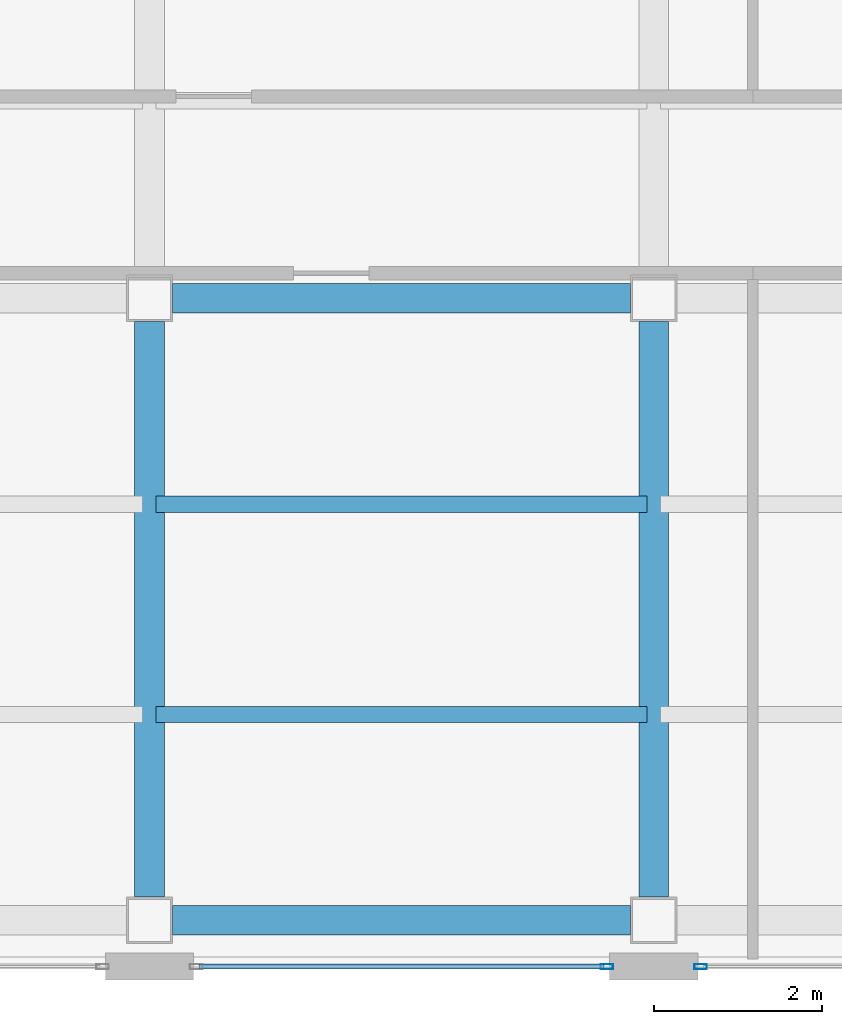
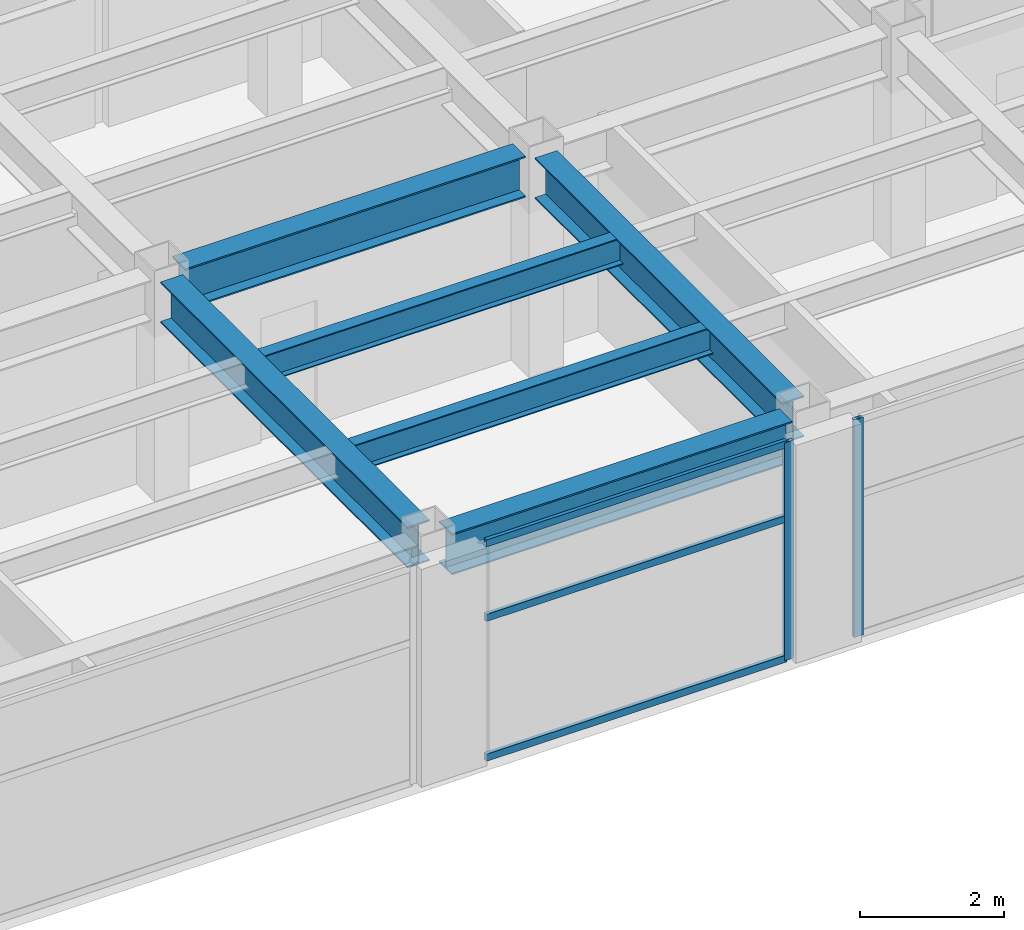
# One storey, part 5 of 17: 6 beams, 5 members, 2 elements without a shape of their own.
"""IFC4 building model written with IfcOpenShell, lengths in metres."""

import ifcopenshell
import ifcopenshell.guid

model = None  # the IFC model being written
_history = None  # IfcOwnerHistory: only IFC2X3 demands one
_inside = {}  # id of a spatial element -> (the spatial element, [elements in it])
_under = {}  # id of a project, library or spatial element -> (it, [spatial elements below it])
_declared = {}  # id of a project -> (the project, [libraries it declares])
_typed = {}  # id of a type object -> (the type object, [elements of that type])
_made_of = {}  # id of a material, layer set ... -> (it, [elements and type objects made of it])


def new_model(schema):
    """Start an empty IFC model of exactly this schema.

    Asked for "IFC4X3", IfcOpenShell would pick the latest addendum, in which some entities
    have other attributes; the version numbers below select the first issue.
    IFC2X3 requires an IfcOwnerHistory on every rooted entity: one is made here for all.
    """
    global model, _history
    if schema == "IFC4X3":
        model = ifcopenshell.file(schema_version=(4, 3, 0, 0))
    else:
        model = ifcopenshell.file(schema=schema)
    _inside.clear()
    _under.clear()
    _declared.clear()
    _typed.clear()
    _made_of.clear()
    _history = None
    if model.schema == "IFC2X3":
        org = make("IfcOrganization", Name="unknown")
        user = make(
            "IfcPersonAndOrganization",
            ThePerson=make("IfcPerson", FamilyName="unknown"),
            TheOrganization=org,
        )
        app = make(
            "IfcApplication",
            ApplicationDeveloper=org,
            Version="unknown",
            ApplicationFullName="unknown",
            ApplicationIdentifier="unknown",
        )
        _history = make(
            "IfcOwnerHistory",
            OwningUser=user,
            OwningApplication=app,
            ChangeAction="ADDED",
            CreationDate=0,
        )
    return model


def make(cls, **values):
    """One entity of the class cls with the attributes given. An attribute that is None is left unset."""
    return model.create_entity(
        cls, **{name: value for name, value in values.items() if value is not None}
    )


def rooted(cls, **values):
    """An entity with a GlobalId (a new one), such as an element, a storey or a relation."""
    return make(cls, GlobalId=ifcopenshell.guid.new(), OwnerHistory=_history, **values)


def si_unit(unit_type, name, prefix=None):
    """IfcSIUnit, for example si_unit("LENGTHUNIT", "METRE", prefix="MILLI")."""
    return make("IfcSIUnit", UnitType=unit_type, Prefix=prefix, Name=name)


def assignment(units):
    """IfcUnitAssignment: the units of a project."""
    return None if units is None else make("IfcUnitAssignment", Units=units)


def point(xyz):
    """IfcCartesianPoint."""
    return None if xyz is None else make("IfcCartesianPoint", Coordinates=xyz)


def direction(xyz):
    """IfcDirection."""
    return None if xyz is None else make("IfcDirection", DirectionRatios=xyz)


def frame(location, z_axis=None, x_axis=None):
    """IfcAxis2Placement3D, a coordinate frame: its origin and axes. An axis left out is left unset."""
    return make(
        "IfcAxis2Placement3D",
        Location=point(location),
        Axis=direction(z_axis),
        RefDirection=direction(x_axis),
    )


def frame_2d(location, x_axis=None):
    """IfcAxis2Placement2D, a coordinate frame in the plane: its origin and x axis."""
    return make(
        "IfcAxis2Placement2D", Location=point(location), RefDirection=direction(x_axis)
    )


def origin():
    """The frame at (0, 0, 0) with its axes left unset."""
    return frame((0.0, 0.0, 0.0))


def origin_2d():
    """The frame at (0, 0) in the plane with its x axis left unset."""
    return frame_2d((0.0, 0.0))


def place(relative_to, where):
    """IfcLocalPlacement: puts the frame where relative to a parent placement (None: the world)."""
    return make(
        "IfcLocalPlacement", PlacementRelTo=relative_to, RelativePlacement=where
    )


def context(
    kind, dimensions, precision=None, world=None, true_north=None, identifier=None
):
    """IfcGeometricRepresentationContext, for example the 3D "Model" context."""
    return make(
        "IfcGeometricRepresentationContext",
        ContextIdentifier=identifier,
        ContextType=kind,
        CoordinateSpaceDimension=dimensions,
        Precision=precision,
        WorldCoordinateSystem=world,
        TrueNorth=true_north,
    )


def subcontext(parent, identifier, kind, view, scale=None):
    """IfcGeometricRepresentationSubContext, for example "Body" below "Model"."""
    return make(
        "IfcGeometricRepresentationSubContext",
        ContextIdentifier=identifier,
        ContextType=kind,
        ParentContext=parent,
        TargetScale=scale,
        TargetView=view,
    )


def project(units=None, contexts=None):
    """IfcProject with its units and contexts."""
    return rooted(
        "IfcProject",
        Name="project",
        RepresentationContexts=contexts,
        UnitsInContext=assignment(units),
    )


def spatial(cls, under=None, at=None, **own):
    """A site, building, storey or space (cls), placed at a placement, below another one or the project."""
    s = rooted(cls, ObjectPlacement=at, **own)
    if under is not None:
        _under.setdefault(under.id(), (under, []))[1].append(s)
    return s


def profile(cls, at=None, kind="AREA", **sizes):
    """A parametric profile (cls). Its sizes go by their IFC names, for example OverallWidth=200.0."""
    return make(cls, ProfileType=kind, Position=at, **sizes)


def hollow_rectangle(**sizes):
    """IfcRectangleHollowProfileDef."""
    return profile("IfcRectangleHollowProfileDef", **sizes)


def i_section(**sizes):
    """IfcIShapeProfileDef."""
    return profile("IfcIShapeProfileDef", **sizes)


def extrude(swept, where, along, depth):
    """IfcExtrudedAreaSolid: the profile swept, set in the frame where, extruded along a direction by depth."""
    return make(
        "IfcExtrudedAreaSolid",
        SweptArea=swept,
        Position=where,
        ExtrudedDirection=direction(along),
        Depth=depth,
    )


def shape(context_of_items, identifier, shape_type, items):
    """IfcShapeRepresentation: the items that make up one representation, for example the "Body"."""
    return make(
        "IfcShapeRepresentation",
        ContextOfItems=context_of_items,
        RepresentationIdentifier=identifier,
        RepresentationType=shape_type,
        Items=items,
    )


def material(Name=None, Category=None):
    """IfcMaterial."""
    return make("IfcMaterial", Name=Name, Category=Category)


def layer(
    of_material, thickness, ventilated=None, Name=None, Category=None, Priority=None
):
    """IfcMaterialLayer: one layer of a wall or slab, of a material (None: an air gap)."""
    return make(
        "IfcMaterialLayer",
        Material=of_material,
        LayerThickness=thickness,
        IsVentilated=ventilated,
        Name=Name,
        Category=Category,
        Priority=Priority,
    )


def layer_set(layers, Name=None):
    """IfcMaterialLayerSet."""
    return make("IfcMaterialLayerSet", MaterialLayers=layers, LayerSetName=Name)


def material_profile(
    of_material, cross_section, Name=None, Category=None, Priority=None
):
    """IfcMaterialProfile: a cross section and its material."""
    return make(
        "IfcMaterialProfile",
        Name=Name,
        Material=of_material,
        Profile=cross_section,
        Priority=Priority,
        Category=Category,
    )


def profile_set(profiles, Name=None, composite=None):
    """IfcMaterialProfileSet."""
    return make(
        "IfcMaterialProfileSet",
        Name=Name,
        MaterialProfiles=profiles,
        CompositeProfile=composite,
    )


def made_of(thing, what):
    """Note that an element or type object is made of a material, layer set ...; save() writes the relation."""
    if what is not None:
        _made_of.setdefault(what.id(), (what, []))[1].append(thing)
    return thing


def type_object(cls, material=None, **own):
    """A type object (cls), such as IfcWallType, which elements share."""
    return made_of(rooted(cls, **own), material)


def element(
    cls,
    number,
    at=None,
    inside=None,
    cuts=None,
    type_object=None,
    material=None,
    context=None,
    identifier="Body",
    shape_type=None,
    held_by="IfcProductDefinitionShape",
    body=None,
    shapes=None,
    **own,
):
    """One element of the class cls, such as IfcWall. Its Tag is "e" and its number.

    at: its placement. inside: the storey or other place that contains it. cuts: it is an
    opening in that element (IfcRelVoidsElement). A single representation is given by context,
    identifier, shape_type and body (its items); several are given by shapes. held_by: the class
    of the entity that holds the representations. save() writes the other relations.
    """
    e = rooted(cls, Tag="e%d" % number, ObjectPlacement=at, **own)
    if body is not None:
        shapes = [shape(context, identifier, shape_type, body)]
    if shapes is not None:
        e.Representation = make(held_by, Representations=shapes)
    if inside is not None:
        _inside.setdefault(inside.id(), (inside, []))[1].append(e)
    if cuts is not None:
        rooted(
            "IfcRelVoidsElement", RelatingBuildingElement=cuts, RelatedOpeningElement=e
        )
    if type_object is not None:
        _typed.setdefault(type_object.id(), (type_object, []))[1].append(e)
    return made_of(e, material)


def aggregate(whole, parts):
    """IfcRelAggregates: a whole, such as a stair, and the parts it consists of."""
    return rooted("IfcRelAggregates", RelatingObject=whole, RelatedObjects=parts)


def save(model, path):
    """Write the relations noted so far, then the file.

    IfcRelAggregates (storeys below a building ...), IfcRelContainedInSpatialStructure (elements
    in a storey), IfcRelDefinesByType, IfcRelAssociatesMaterial and IfcRelDeclares: one each for
    every whole, place, type object, material and project.
    """
    for whole, parts in _under.values():
        aggregate(whole, parts)
    for where, things in _inside.values():
        rooted(
            "IfcRelContainedInSpatialStructure",
            RelatedElements=things,
            RelatingStructure=where,
        )
    for kind, things in _typed.values():
        rooted("IfcRelDefinesByType", RelatedObjects=things, RelatingType=kind)
    for what, things in _made_of.values():
        rooted("IfcRelAssociatesMaterial", RelatedObjects=things, RelatingMaterial=what)
    for by, libraries in _declared.values():
        rooted("IfcRelDeclares", RelatingContext=by, RelatedDefinitions=libraries)
    model.write(path)


model = new_model("IFC4")

# Units and contexts
model_context = context("Model", 3, precision=1e-05, world=origin(), true_north=direction((0.0, 1.0)))
body_context = subcontext(model_context, "Body", "Model", "MODEL_VIEW")
ifc_project = project(units=[si_unit("LENGTHUNIT", "METRE"), si_unit("AREAUNIT", "SQUARE_METRE"), si_unit("VOLUMEUNIT", "CUBIC_METRE"), si_unit("PLANEANGLEUNIT", "RADIAN"), si_unit("MASSUNIT", "GRAM", prefix="KILO")], contexts=[model_context])

# Site, building, storey
site_placement = place(None, origin())
site = spatial("IfcSite", under=ifc_project, at=site_placement, CompositionType="ELEMENT")
building_placement = place(site_placement, origin())
building = spatial("IfcBuilding", under=site, at=building_placement, Name="Mawjaban Terraces University", CompositionType="ELEMENT")
storey_placement = place(building_placement, frame((0.0, 0.0, 70.0)))
storey = spatial("IfcBuildingStorey", under=building, at=storey_placement, Name="L16", CompositionType="ELEMENT", Elevation=70.0)

# Beams
ifc_material_1 = material(Name="Steel ASTM A572 Grade 50", Category="steel")
ifc_material_profile_1 = material_profile(ifc_material_1, i_section(OverallWidth=0.35498046875, OverallDepth=0.695068359375, WebThickness=0.015380859375, FlangeThickness=0.02490234375, at=origin_2d()), Name="W690X217")
ifc_profile_set_1 = profile_set([ifc_material_profile_1], Name="Steel ASTM A572 Grade 50")
beam_type_1 = type_object("IfcBeamType", Name="Beam_B_W690X217", PredefinedType="BEAM", material=ifc_profile_set_1)
for number, where, z_axis, x_axis, name in (
    (1, (46.27490234375, 0.550048828125, 3.343017578125), (1.0, 0.0, 0.0), (0.0, 1.0, 0.0), "L16 Beam BM-L16-EW-02"),
    (2, (46.27490234375, 7.949951171875, 3.343017578125), (1.0, 0.0, 0.0), (0.0, 1.0, 0.0), "L16 Beam BM-L16-EW-07"),
):
    element("IfcBeam", number, at=place(storey_placement, frame(where, z_axis=z_axis, x_axis=x_axis)), inside=storey, type_object=beam_type_1, Name=name, PredefinedType="BEAM", context=body_context, shape_type="SweptSolid", body=[
        extrude(i_section(OverallWidth=0.35498046875, OverallDepth=0.695068359375, WebThickness=0.015380859375, FlangeThickness=0.02490234375, at=origin_2d()), origin(), (0.0, 0.0, 1.0), 5.4501953125),
    ])
for number, where, z_axis, x_axis, name in (
    (3, (46.0, 0.824951171875, 3.343017578125), (0.0, 1.0, 0.0), (-1.0, 0.0, 0.0), "L16 Beam BM-L16-NS-14"),
    (4, (52.0, 0.824951171875, 3.343017578125), (0.0, 1.0, 0.0), (-1.0, 0.0, 0.0), "L16 Beam BM-L16-NS-16"),
):
    element("IfcBeam", number, at=place(storey_placement, frame(where, z_axis=z_axis, x_axis=x_axis)), inside=storey, type_object=beam_type_1, Name=name, PredefinedType="BEAM", context=body_context, shape_type="SweptSolid", body=[
        extrude(i_section(OverallWidth=0.35498046875, OverallDepth=0.695068359375, WebThickness=0.015380859375, FlangeThickness=0.02490234375, at=origin_2d()), origin(), (0.0, 0.0, 1.0), 6.85009765625),
    ])
ifc_material_profile_2 = material_profile(ifc_material_1, i_section(OverallWidth=0.19189453125, OverallDepth=0.462890625, WebThickness=0.010498046875, FlangeThickness=0.017578125, at=origin_2d()), Name="W460X89")
ifc_profile_set_2 = profile_set([ifc_material_profile_2], Name="Steel ASTM A572 Grade 50")
beam_type_2 = type_object("IfcBeamType", Name="Beam_J_W460X89", PredefinedType="JOIST", material=ifc_profile_set_2)
for number, where, z_axis, x_axis, name in (
    (5, (46.080078125, 3.0, 3.458984375), (1.0, 0.0, 0.0), (0.0, 1.0, 0.0), "L16 Composite Joist JST-L16-02"),
    (6, (46.080078125, 5.5, 3.458984375), (1.0, 0.0, 0.0), (0.0, 1.0, 0.0), "L16 Composite Joist JST-L16-07"),
):
    element("IfcBeam", number, at=place(storey_placement, frame(where, z_axis=z_axis, x_axis=x_axis)), inside=storey, type_object=beam_type_2, Name=name, PredefinedType="JOIST", context=body_context, shape_type="SweptSolid", body=[
        extrude(i_section(OverallWidth=0.19189453125, OverallDepth=0.462890625, WebThickness=0.010498046875, FlangeThickness=0.017578125, at=origin_2d()), origin(), (0.0, 0.0, 1.0), 5.83984375),
    ])

# Curtain wall, member
ifc_material_2 = material(Name="Anodised aluminium 6063-T6 and solar-control low-E glass", Category="aluminium")
ifc_layer = layer(ifc_material_2, 0.1650390625)
ifc_layer_set = layer_set([ifc_layer], Name="Anodised aluminium 6063-T6 and solar-control low-E glass")
curtain_wall_type = type_object("IfcCurtainWallType", Name="CWSystem_04_EastWing", PredefinedType="NOTDEFINED", material=ifc_layer_set)
curtain_wall_1_placement = place(storey_placement, origin())
curtain_wall_1 = element("IfcCurtainWall", 7, at=curtain_wall_1_placement, inside=storey, type_object=curtain_wall_type, Name="L16 Curtain Wall CW-04 Run 1.3", PredefinedType="NOTDEFINED")
ifc_material_3 = material(Name="Anodised aluminium 6063-T6", Category="aluminium")
ifc_material_profile_3 = material_profile(ifc_material_3, hollow_rectangle(XDim=0.06005859375, YDim=0.14990234375, WallThickness=0.00390625, at=origin_2d()), Name="ALU150X60X4")
ifc_profile_set_3 = profile_set([ifc_material_profile_3], Name="Anodised aluminium 6063-T6")
member_type_1 = type_object("IfcMemberType", Name="Mullion_CW-04", PredefinedType="MULLION", material=ifc_profile_set_3)
member_1_placement = place(storey_placement, frame((51.4423828125, 0.0, 0.0), z_axis=(0.0, 0.0, 1.0), x_axis=(0.0, 1.0, 0.0)))
member_1 = element("IfcMember", 8, at=member_1_placement, type_object=member_type_1, Name="CW-04 mullion 2", PredefinedType="MULLION", context=body_context, shape_type="SweptSolid", body=[
    extrude(hollow_rectangle(XDim=0.06005859375, YDim=0.14990234375, WallThickness=0.00390625, at=origin_2d()), origin(), (0.0, 0.0, 1.0), 3.68994140625),
])

curtain_wall_2_placement = place(storey_placement, origin())
curtain_wall_2 = element("IfcCurtainWall", 9, at=curtain_wall_2_placement, inside=storey, type_object=curtain_wall_type, Name="L16 Curtain Wall CW-04 Run 1.4", PredefinedType="NOTDEFINED")
member_2_placement = place(storey_placement, frame((52.5576171875, 0.0, 0.0), z_axis=(0.0, 0.0, 1.0), x_axis=(0.0, 1.0, 0.0)))
member_2 = element("IfcMember", 10, at=member_2_placement, type_object=member_type_1, Name="CW-04 mullion 1", PredefinedType="MULLION", context=body_context, shape_type="SweptSolid", body=[
    extrude(hollow_rectangle(XDim=0.06005859375, YDim=0.14990234375, WallThickness=0.00390625, at=origin_2d()), origin(), (0.0, 0.0, 1.0), 3.68994140625),
])
aggregate(curtain_wall_2, [member_2])

# Member
ifc_material_profile_4 = material_profile(ifc_material_3, hollow_rectangle(XDim=0.06005859375, YDim=0.1201171875, WallThickness=0.00341796875, at=origin_2d()), Name="ALU120X60X3.5")
ifc_profile_set_4 = profile_set([ifc_material_profile_4], Name="Anodised aluminium 6063-T6")
member_type_2 = type_object("IfcMemberType", Name="Transom_CW-04", PredefinedType="NOTDEFINED", material=ifc_profile_set_4)
member_3_placement = place(storey_placement, frame((46.590087890625, 0.0, 0.030029296875), z_axis=(1.0, 0.0, 0.0), x_axis=(0.0, 1.0, 0.0)))
member_3 = element("IfcMember", 11, at=member_3_placement, type_object=member_type_2, Name="CW-04 transom 1.1", ObjectType="TRANSOM", PredefinedType="USERDEFINED", context=body_context, shape_type="SweptSolid", body=[
    extrude(hollow_rectangle(XDim=0.06005859375, YDim=0.1201171875, WallThickness=0.00341796875, at=origin_2d()), origin(), (0.0, 0.0, 1.0), 4.81982421875),
])

member_4_placement = place(storey_placement, frame((46.590087890625, 0.0, 2.39794921875), z_axis=(1.0, 0.0, 0.0), x_axis=(0.0, 1.0, 0.0)))
member_4 = element("IfcMember", 12, at=member_4_placement, type_object=member_type_2, Name="CW-04 transom 1.2", ObjectType="TRANSOM", PredefinedType="USERDEFINED", context=body_context, shape_type="SweptSolid", body=[
    extrude(hollow_rectangle(XDim=0.06005859375, YDim=0.1201171875, WallThickness=0.00341796875, at=origin_2d()), origin(), (0.0, 0.0, 1.0), 4.81982421875),
])

member_5_placement = place(storey_placement, frame((46.590087890625, 0.0, 3.659912109375), z_axis=(1.0, 0.0, 0.0), x_axis=(0.0, 1.0, 0.0)))
member_5 = element("IfcMember", 13, at=member_5_placement, type_object=member_type_2, Name="CW-04 transom 1.3", ObjectType="TRANSOM", PredefinedType="USERDEFINED", context=body_context, shape_type="SweptSolid", body=[
    extrude(hollow_rectangle(XDim=0.06005859375, YDim=0.1201171875, WallThickness=0.00341796875, at=origin_2d()), origin(), (0.0, 0.0, 1.0), 4.81982421875),
])

aggregate(curtain_wall_1, [member_1, member_3, member_4, member_5])

save(model, "model.ifc")
